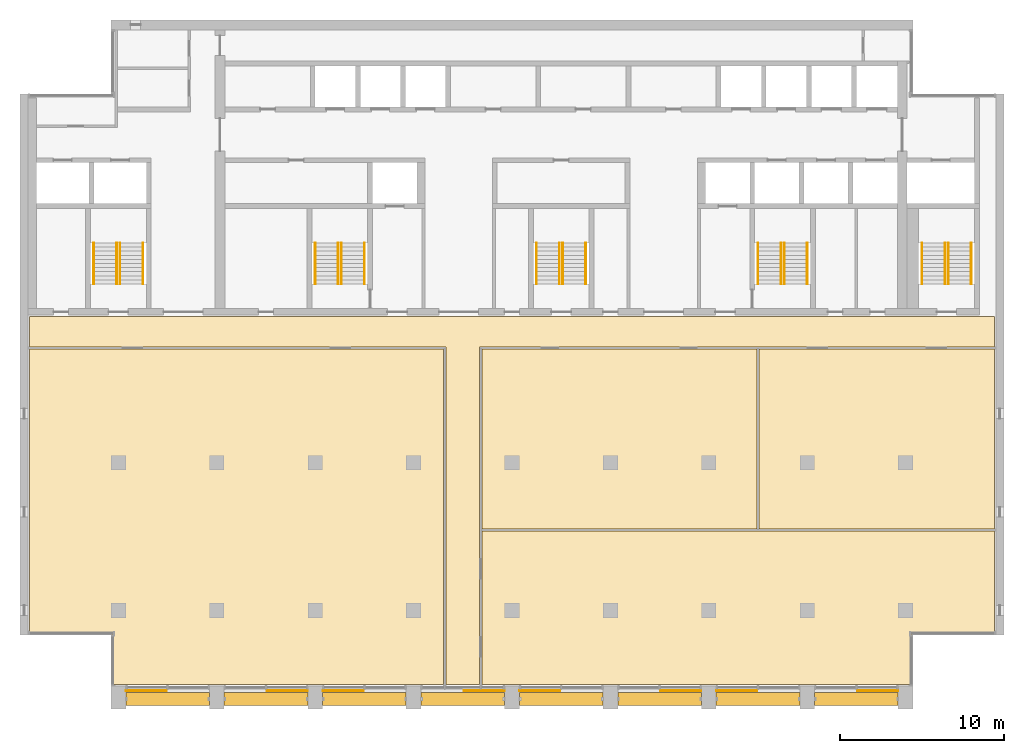
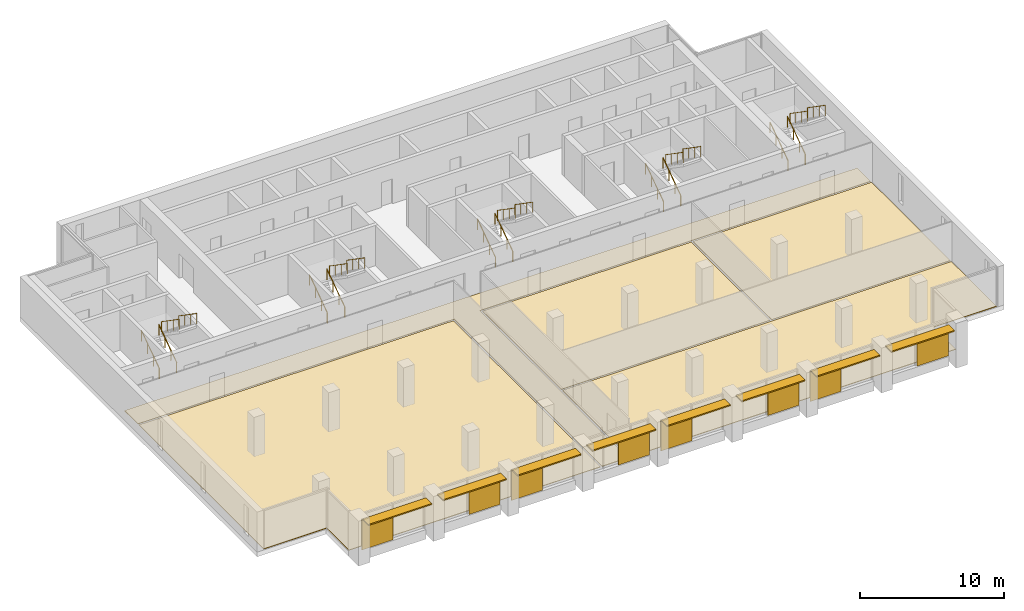
# One storey, part 14 of 14: 20 railings, 16 shading devices, 5 coverings, 5 elements without a shape of their own.
"""IFC4 building model written with IfcOpenShell, lengths in metres."""

from ifc_helpers import new_model, si_unit, direction, frame, origin, origin_2d, place, context, subcontext, project, spatial, polyline, rectangle, circle, outline, extrude, material, layer, layer_set, material_profile, profile_set, type_object, element, aggregate, save


model = new_model("IFC4")

# Units and contexts
model_context = context("Model", 3, precision=1e-05, world=origin(), true_north=direction((0.0, 1.0)))
body_context = subcontext(model_context, "Body", "Model", "MODEL_VIEW")
ifc_project = project(units=[si_unit("LENGTHUNIT", "METRE"), si_unit("AREAUNIT", "SQUARE_METRE"), si_unit("VOLUMEUNIT", "CUBIC_METRE"), si_unit("PLANEANGLEUNIT", "RADIAN"), si_unit("MASSUNIT", "GRAM", prefix="KILO")], contexts=[model_context])

# Site, building, storey
site_placement = place(None, origin())
site = spatial("IfcSite", under=ifc_project, at=site_placement, CompositionType="ELEMENT")
building_placement = place(site_placement, origin())
building = spatial("IfcBuilding", under=site, at=building_placement, Name="Calvaro Tower", CompositionType="ELEMENT")
storey_placement = place(building_placement, frame((0.0, 0.0, 243.14990234375)))
storey = spatial("IfcBuildingStorey", under=building, at=storey_placement, Name="L61", CompositionType="ELEMENT", Elevation=243.14990234375)

# Shading devices
ifc_material_1 = material(Name="Anodised aluminium", Category="aluminium")
ifc_material_profile = material_profile(ifc_material_1, rectangle(XDim=0.800048828125, YDim=0.10009765625, at=origin_2d()), Name="Brise-soleil blade 800 x 100")
ifc_profile_set = profile_set([ifc_material_profile], Name="Anodised aluminium")
shading_device_type_1 = type_object("IfcShadingDeviceType", Name="Brise-soleil blade 800 x 100", PredefinedType="JALOUSIE", material=ifc_profile_set)
for number, where, z_axis, x_axis, name in (
    (1, (12.449951171875, 4.60009765625, 2.650146484375), (1.0, 0.0, 0.0), (0.0, 1.0, 0.0), "Brise-soleil blade 1"),
    (2, (18.449951171875, 4.60009765625, 2.650146484375), (1.0, 0.0, 0.0), (0.0, 1.0, 0.0), "Brise-soleil blade 2"),
    (3, (24.449951171875, 4.60009765625, 2.650146484375), (1.0, 0.0, 0.0), (0.0, 1.0, 0.0), "Brise-soleil blade 3"),
    (4, (30.449951171875, 4.60009765625, 2.650146484375), (1.0, 0.0, 0.0), (0.0, 1.0, 0.0), "Brise-soleil blade 4"),
    (5, (36.449951171875, 4.60009765625, 2.650146484375), (1.0, 0.0, 0.0), (0.0, 1.0, 0.0), "Brise-soleil blade 5"),
    (6, (42.449951171875, 4.60009765625, 2.650146484375), (1.0, 0.0, 0.0), (0.0, 1.0, 0.0), "Brise-soleil blade 6"),
    (7, (48.449951171875, 4.60009765625, 2.650146484375), (1.0, 0.0, 0.0), (0.0, 1.0, 0.0), "Brise-soleil blade 7"),
    (8, (54.449951171875, 4.60009765625, 2.650146484375), (1.0, 0.0, 0.0), (0.0, 1.0, 0.0), "Brise-soleil blade 8"),
):
    element("IfcShadingDevice", number, at=place(storey_placement, frame(where, z_axis=z_axis, x_axis=x_axis)), inside=storey, type_object=shading_device_type_1, Name=name, PredefinedType="JALOUSIE", context=body_context, shape_type="SweptSolid", body=[
        extrude(rectangle(XDim=0.800048828125, YDim=0.10009765625, at=origin_2d()), origin(), (0.0, 0.0, 1.0), 5.10009765625),
    ])

# Coverings
ifc_material_2 = material(Name="Cement screed with carpet tile finish")
ifc_layer_1 = layer(ifc_material_2, 0.050048828125)
ifc_layer_set_1 = layer_set([ifc_layer_1], Name="Cement screed with carpet tile finish")
covering_type = type_object("IfcCoveringType", Name="Floor finish 50", PredefinedType="FLOORING", material=ifc_layer_set_1)
covering_1_placement = place(storey_placement, origin())
element("IfcCovering", 9, at=covering_1_placement, inside=storey, type_object=covering_type, Name="Floor finish 35.01", PredefinedType="FLOORING", context=body_context, shape_type="SweptSolid", body=[
    extrude(outline(polyline([(31.969970703125, 5.469970703125), (31.969970703125, 26.070068359375), (6.570068359375, 26.070068359375), (6.570068359375, 27.929931640625), (65.429931640625, 27.929931640625), (65.429931640625, 26.070068359375), (34.030029296875, 26.070068359375), (34.030029296875, 5.469970703125), (31.969970703125, 5.469970703125)])), origin(), (0.0, 0.0, 1.0), 0.050048828125),
])
covering_2_placement = place(storey_placement, origin())
element("IfcCovering", 10, at=covering_2_placement, inside=storey, type_object=covering_type, Name="Floor finish 35.03", PredefinedType="FLOORING", context=body_context, shape_type="SweptSolid", body=[
    extrude(outline(polyline([(31.830078125, 25.929931640625), (31.830078125, 5.469970703125), (11.6201171875, 5.469970703125), (11.6201171875, 8.570068359375), (6.570068359375, 8.570068359375), (6.570068359375, 25.929931640625), (31.830078125, 25.929931640625)])), origin(), (0.0, 0.0, 1.0), 0.050048828125),
])
covering_3_placement = place(storey_placement, origin())
element("IfcCovering", 11, at=covering_3_placement, inside=storey, type_object=covering_type, Name="Floor finish 35.02", PredefinedType="FLOORING", context=body_context, shape_type="SweptSolid", body=[
    extrude(outline(polyline([(65.429931640625, 8.570068359375), (60.3798828125, 8.570068359375), (60.3798828125, 5.469970703125), (34.169921875, 5.469970703125), (34.169921875, 14.830078125), (65.429931640625, 14.830078125), (65.429931640625, 8.570068359375)])), origin(), (0.0, 0.0, 1.0), 0.050048828125),
])
covering_4_placement = place(storey_placement, origin())
element("IfcCovering", 12, at=covering_4_placement, inside=storey, type_object=covering_type, Name="Floor finish 35.05", PredefinedType="FLOORING", context=body_context, shape_type="SweptSolid", body=[
    extrude(outline(polyline([(34.169921875, 14.969970703125), (34.169921875, 25.929931640625), (50.929931640625, 25.929931640625), (50.929931640625, 14.969970703125), (34.169921875, 14.969970703125)])), origin(), (0.0, 0.0, 1.0), 0.050048828125),
])
covering_5_placement = place(storey_placement, origin())
element("IfcCovering", 13, at=covering_5_placement, inside=storey, type_object=covering_type, Name="Floor finish 35.04", PredefinedType="FLOORING", context=body_context, shape_type="SweptSolid", body=[
    extrude(outline(polyline([(65.429931640625, 14.969970703125), (51.070068359375, 14.969970703125), (51.070068359375, 25.929931640625), (65.429931640625, 25.929931640625), (65.429931640625, 14.969970703125)])), origin(), (0.0, 0.0, 1.0), 0.050048828125),
])

# Shading devices
ifc_material_3 = material(Name="Ceramic")
ifc_layer_2 = layer(ifc_material_3, 0.0400390625)
ifc_layer_set_2 = layer_set([ifc_layer_2], Name="Ceramic")
shading_device_type_2 = type_object("IfcShadingDeviceType", Name="Sliding ceramic screen 2500", PredefinedType="SHUTTER", material=ifc_layer_set_2)
for number, where, z_axis, x_axis, name in (
    (14, (13.699951171875, 5.10009765625, 0.0), (0.0, 0.0, 1.0), (1.0, 0.0, 0.0), "Sliding screen 1"),
    (15, (22.300048828125, 5.10009765625, 0.0), (0.0, 0.0, 1.0), (1.0, 0.0, 0.0), "Sliding screen 2"),
    (16, (25.699951171875, 5.10009765625, 0.0), (0.0, 0.0, 1.0), (1.0, 0.0, 0.0), "Sliding screen 3"),
    (17, (34.300048828125, 5.10009765625, 0.0), (0.0, 0.0, 1.0), (1.0, 0.0, 0.0), "Sliding screen 4"),
    (18, (37.699951171875, 5.10009765625, 0.0), (0.0, 0.0, 1.0), (1.0, 0.0, 0.0), "Sliding screen 5"),
    (19, (46.300048828125, 5.10009765625, 0.0), (0.0, 0.0, 1.0), (1.0, 0.0, 0.0), "Sliding screen 6"),
    (20, (49.699951171875, 5.10009765625, 0.0), (0.0, 0.0, 1.0), (1.0, 0.0, 0.0), "Sliding screen 7"),
    (21, (58.300048828125, 5.10009765625, 0.0), (0.0, 0.0, 1.0), (1.0, 0.0, 0.0), "Sliding screen 8"),
):
    element("IfcShadingDevice", number, at=place(storey_placement, frame(where, z_axis=z_axis, x_axis=x_axis)), inside=storey, type_object=shading_device_type_2, Name=name, PredefinedType="SHUTTER", context=body_context, shape_type="SweptSolid", body=[
        extrude(rectangle(XDim=2.5, YDim=0.0400390625, at=origin_2d()), origin(), (0.0, 0.0, 1.0), 2.60009765625),
    ])

# Stair, railings
ifc_material_4 = material(Name="Concrete C40/50", Category="concrete")
stair_type = type_object("IfcStairType", Name="Exit stair 1400 2 flights", PredefinedType="HALF_TURN_STAIR", material=ifc_material_4)
stair_1_placement = place(storey_placement, origin())
stair_1 = element("IfcStair", 22, at=stair_1_placement, inside=storey, type_object=stair_type, Name="Exit stair S1", PredefinedType="HALF_TURN_STAIR")
ifc_material_5 = material(Name="Stainless steel", Category="steel")
railing_type = type_object("IfcRailingType", Name="Stair handrail", PredefinedType="HANDRAIL", material=ifc_material_5)
railing_1_placement = place(storey_placement, frame((11.89990234375, 29.89990234375, 0.1728515625)))
railing_1 = element("IfcRailing", 23, at=railing_1_placement, type_object=railing_type, Name="Exit stair 1 handrail", PredefinedType="HANDRAIL", context=body_context, shape_type="SweptSolid", body=[
    extrude(circle(Radius=0.02392578125, at=origin_2d()), frame((0.0, 0.0, 0.8759765625), z_axis=(0.0, 0.822726922227, 0.568436813941), x_axis=(-1.0, 0.0, 0.0)), (0.0, 0.0, 1.0), 3.03857421875),
    extrude(circle(Radius=0.02099609375, at=origin_2d()), frame((0.0, 0.017333984375, 0.011962890625)), (0.0, 0.0, 1.0), 0.851806640625),
    extrude(circle(Radius=0.02099609375, at=origin_2d()), frame((0.0, 0.833251953125, 0.57568359375)), (0.0, 0.0, 1.0), 0.851806640625),
    extrude(circle(Radius=0.02099609375, at=origin_2d()), frame((0.0, 1.666748046875, 1.151611328125)), (0.0, 0.0, 1.0), 0.851806640625),
    extrude(circle(Radius=0.02099609375, at=origin_2d()), frame((0.0, 2.482666015625, 1.71533203125)), (0.0, 0.0, 1.0), 0.851806640625),
])
railing_2_placement = place(storey_placement, frame((10.5, 29.89990234375, 0.1728515625)))
railing_2 = element("IfcRailing", 24, at=railing_2_placement, type_object=railing_type, Name="Exit stair 1 handrail", PredefinedType="HANDRAIL", context=body_context, shape_type="SweptSolid", body=[
    extrude(circle(Radius=0.02392578125, at=origin_2d()), frame((0.0, 0.0, 0.8759765625), z_axis=(0.0, 0.822726922227, 0.568436813941), x_axis=(-1.0, 0.0, 0.0)), (0.0, 0.0, 1.0), 3.03857421875),
    extrude(circle(Radius=0.02099609375, at=origin_2d()), frame((0.0, 0.017333984375, 0.011962890625)), (0.0, 0.0, 1.0), 0.851806640625),
    extrude(circle(Radius=0.02099609375, at=origin_2d()), frame((0.0, 0.833251953125, 0.57568359375)), (0.0, 0.0, 1.0), 0.851806640625),
    extrude(circle(Radius=0.02099609375, at=origin_2d()), frame((0.0, 1.666748046875, 1.151611328125)), (0.0, 0.0, 1.0), 0.851806640625),
    extrude(circle(Radius=0.02099609375, at=origin_2d()), frame((0.0, 2.482666015625, 1.71533203125)), (0.0, 0.0, 1.0), 0.851806640625),
])
railing_3_placement = place(storey_placement, frame((12.10009765625, 32.39990234375, 2.07275390625)))
railing_3 = element("IfcRailing", 25, at=railing_3_placement, type_object=railing_type, Name="Exit stair 1 handrail", PredefinedType="HANDRAIL", context=body_context, shape_type="SweptSolid", body=[
    extrude(circle(Radius=0.02392578125, at=origin_2d()), frame((0.0, 0.0, 0.8759765625), z_axis=(0.0, -0.822726922227, 0.568436813941), x_axis=(1.0, 0.0, 0.0)), (0.0, 0.0, 1.0), 3.03857421875),
    extrude(circle(Radius=0.02099609375, at=origin_2d()), frame((0.0, -0.017333984375, 0.011962890625)), (0.0, 0.0, 1.0), 0.851806640625),
    extrude(circle(Radius=0.02099609375, at=origin_2d()), frame((0.0, -0.833251953125, 0.57568359375)), (0.0, 0.0, 1.0), 0.851806640625),
    extrude(circle(Radius=0.02099609375, at=origin_2d()), frame((0.0, -1.666748046875, 1.151611328125)), (0.0, 0.0, 1.0), 0.851806640625),
    extrude(circle(Radius=0.02099609375, at=origin_2d()), frame((0.0, -2.482666015625, 1.71533203125)), (0.0, 0.0, 1.0), 0.851806640625),
])
railing_4_placement = place(storey_placement, frame((13.5, 32.39990234375, 2.07275390625)))
railing_4 = element("IfcRailing", 26, at=railing_4_placement, type_object=railing_type, Name="Exit stair 1 handrail", PredefinedType="HANDRAIL", context=body_context, shape_type="SweptSolid", body=[
    extrude(circle(Radius=0.02392578125, at=origin_2d()), frame((0.0, 0.0, 0.8759765625), z_axis=(0.0, -0.822726922227, 0.568436813941), x_axis=(1.0, 0.0, 0.0)), (0.0, 0.0, 1.0), 3.03857421875),
    extrude(circle(Radius=0.02099609375, at=origin_2d()), frame((0.0, -0.017333984375, 0.011962890625)), (0.0, 0.0, 1.0), 0.851806640625),
    extrude(circle(Radius=0.02099609375, at=origin_2d()), frame((0.0, -0.833251953125, 0.57568359375)), (0.0, 0.0, 1.0), 0.851806640625),
    extrude(circle(Radius=0.02099609375, at=origin_2d()), frame((0.0, -1.666748046875, 1.151611328125)), (0.0, 0.0, 1.0), 0.851806640625),
    extrude(circle(Radius=0.02099609375, at=origin_2d()), frame((0.0, -2.482666015625, 1.71533203125)), (0.0, 0.0, 1.0), 0.851806640625),
])
aggregate(stair_1, [railing_1, railing_2, railing_3, railing_4])

stair_2_placement = place(storey_placement, origin())
stair_2 = element("IfcStair", 27, at=stair_2_placement, inside=storey, type_object=stair_type, Name="Exit stair S2", PredefinedType="HALF_TURN_STAIR")
railing_5_placement = place(storey_placement, frame((25.39990234375, 29.89990234375, 0.1728515625)))
railing_5 = element("IfcRailing", 28, at=railing_5_placement, type_object=railing_type, Name="Exit stair 2 handrail", PredefinedType="HANDRAIL", context=body_context, shape_type="SweptSolid", body=[
    extrude(circle(Radius=0.02392578125, at=origin_2d()), frame((0.0, 0.0, 0.8759765625), z_axis=(0.0, 0.822726922227, 0.568436813941), x_axis=(-1.0, 0.0, 0.0)), (0.0, 0.0, 1.0), 3.03857421875),
    extrude(circle(Radius=0.02099609375, at=origin_2d()), frame((0.0, 0.017333984375, 0.011962890625)), (0.0, 0.0, 1.0), 0.851806640625),
    extrude(circle(Radius=0.02099609375, at=origin_2d()), frame((0.0, 0.833251953125, 0.57568359375)), (0.0, 0.0, 1.0), 0.851806640625),
    extrude(circle(Radius=0.02099609375, at=origin_2d()), frame((0.0, 1.666748046875, 1.151611328125)), (0.0, 0.0, 1.0), 0.851806640625),
    extrude(circle(Radius=0.02099609375, at=origin_2d()), frame((0.0, 2.482666015625, 1.71533203125)), (0.0, 0.0, 1.0), 0.851806640625),
])
railing_6_placement = place(storey_placement, frame((24.0, 29.89990234375, 0.1728515625)))
railing_6 = element("IfcRailing", 29, at=railing_6_placement, type_object=railing_type, Name="Exit stair 2 handrail", PredefinedType="HANDRAIL", context=body_context, shape_type="SweptSolid", body=[
    extrude(circle(Radius=0.02392578125, at=origin_2d()), frame((0.0, 0.0, 0.8759765625), z_axis=(0.0, 0.822726922227, 0.568436813941), x_axis=(-1.0, 0.0, 0.0)), (0.0, 0.0, 1.0), 3.03857421875),
    extrude(circle(Radius=0.02099609375, at=origin_2d()), frame((0.0, 0.017333984375, 0.011962890625)), (0.0, 0.0, 1.0), 0.851806640625),
    extrude(circle(Radius=0.02099609375, at=origin_2d()), frame((0.0, 0.833251953125, 0.57568359375)), (0.0, 0.0, 1.0), 0.851806640625),
    extrude(circle(Radius=0.02099609375, at=origin_2d()), frame((0.0, 1.666748046875, 1.151611328125)), (0.0, 0.0, 1.0), 0.851806640625),
    extrude(circle(Radius=0.02099609375, at=origin_2d()), frame((0.0, 2.482666015625, 1.71533203125)), (0.0, 0.0, 1.0), 0.851806640625),
])
railing_7_placement = place(storey_placement, frame((25.60009765625, 32.39990234375, 2.07275390625)))
railing_7 = element("IfcRailing", 30, at=railing_7_placement, type_object=railing_type, Name="Exit stair 2 handrail", PredefinedType="HANDRAIL", context=body_context, shape_type="SweptSolid", body=[
    extrude(circle(Radius=0.02392578125, at=origin_2d()), frame((0.0, 0.0, 0.8759765625), z_axis=(0.0, -0.822726922227, 0.568436813941), x_axis=(1.0, 0.0, 0.0)), (0.0, 0.0, 1.0), 3.03857421875),
    extrude(circle(Radius=0.02099609375, at=origin_2d()), frame((0.0, -0.017333984375, 0.011962890625)), (0.0, 0.0, 1.0), 0.851806640625),
    extrude(circle(Radius=0.02099609375, at=origin_2d()), frame((0.0, -0.833251953125, 0.57568359375)), (0.0, 0.0, 1.0), 0.851806640625),
    extrude(circle(Radius=0.02099609375, at=origin_2d()), frame((0.0, -1.666748046875, 1.151611328125)), (0.0, 0.0, 1.0), 0.851806640625),
    extrude(circle(Radius=0.02099609375, at=origin_2d()), frame((0.0, -2.482666015625, 1.71533203125)), (0.0, 0.0, 1.0), 0.851806640625),
])
railing_8_placement = place(storey_placement, frame((27.0, 32.39990234375, 2.07275390625)))
railing_8 = element("IfcRailing", 31, at=railing_8_placement, type_object=railing_type, Name="Exit stair 2 handrail", PredefinedType="HANDRAIL", context=body_context, shape_type="SweptSolid", body=[
    extrude(circle(Radius=0.02392578125, at=origin_2d()), frame((0.0, 0.0, 0.8759765625), z_axis=(0.0, -0.822726922227, 0.568436813941), x_axis=(1.0, 0.0, 0.0)), (0.0, 0.0, 1.0), 3.03857421875),
    extrude(circle(Radius=0.02099609375, at=origin_2d()), frame((0.0, -0.017333984375, 0.011962890625)), (0.0, 0.0, 1.0), 0.851806640625),
    extrude(circle(Radius=0.02099609375, at=origin_2d()), frame((0.0, -0.833251953125, 0.57568359375)), (0.0, 0.0, 1.0), 0.851806640625),
    extrude(circle(Radius=0.02099609375, at=origin_2d()), frame((0.0, -1.666748046875, 1.151611328125)), (0.0, 0.0, 1.0), 0.851806640625),
    extrude(circle(Radius=0.02099609375, at=origin_2d()), frame((0.0, -2.482666015625, 1.71533203125)), (0.0, 0.0, 1.0), 0.851806640625),
])
aggregate(stair_2, [railing_5, railing_6, railing_7, railing_8])

stair_3_placement = place(storey_placement, origin())
stair_3 = element("IfcStair", 32, at=stair_3_placement, inside=storey, type_object=stair_type, Name="Exit stair S3", PredefinedType="HALF_TURN_STAIR")
railing_9_placement = place(storey_placement, frame((38.89990234375, 29.89990234375, 0.1728515625)))
railing_9 = element("IfcRailing", 33, at=railing_9_placement, type_object=railing_type, Name="Exit stair 3 handrail", PredefinedType="HANDRAIL", context=body_context, shape_type="SweptSolid", body=[
    extrude(circle(Radius=0.02392578125, at=origin_2d()), frame((0.0, 0.0, 0.8759765625), z_axis=(0.0, 0.822726922227, 0.568436813941), x_axis=(-1.0, 0.0, 0.0)), (0.0, 0.0, 1.0), 3.03857421875),
    extrude(circle(Radius=0.02099609375, at=origin_2d()), frame((0.0, 0.017333984375, 0.011962890625)), (0.0, 0.0, 1.0), 0.851806640625),
    extrude(circle(Radius=0.02099609375, at=origin_2d()), frame((0.0, 0.833251953125, 0.57568359375)), (0.0, 0.0, 1.0), 0.851806640625),
    extrude(circle(Radius=0.02099609375, at=origin_2d()), frame((0.0, 1.666748046875, 1.151611328125)), (0.0, 0.0, 1.0), 0.851806640625),
    extrude(circle(Radius=0.02099609375, at=origin_2d()), frame((0.0, 2.482666015625, 1.71533203125)), (0.0, 0.0, 1.0), 0.851806640625),
])
railing_10_placement = place(storey_placement, frame((37.5, 29.89990234375, 0.1728515625)))
railing_10 = element("IfcRailing", 34, at=railing_10_placement, type_object=railing_type, Name="Exit stair 3 handrail", PredefinedType="HANDRAIL", context=body_context, shape_type="SweptSolid", body=[
    extrude(circle(Radius=0.02392578125, at=origin_2d()), frame((0.0, 0.0, 0.8759765625), z_axis=(0.0, 0.822726922227, 0.568436813941), x_axis=(-1.0, 0.0, 0.0)), (0.0, 0.0, 1.0), 3.03857421875),
    extrude(circle(Radius=0.02099609375, at=origin_2d()), frame((0.0, 0.017333984375, 0.011962890625)), (0.0, 0.0, 1.0), 0.851806640625),
    extrude(circle(Radius=0.02099609375, at=origin_2d()), frame((0.0, 0.833251953125, 0.57568359375)), (0.0, 0.0, 1.0), 0.851806640625),
    extrude(circle(Radius=0.02099609375, at=origin_2d()), frame((0.0, 1.666748046875, 1.151611328125)), (0.0, 0.0, 1.0), 0.851806640625),
    extrude(circle(Radius=0.02099609375, at=origin_2d()), frame((0.0, 2.482666015625, 1.71533203125)), (0.0, 0.0, 1.0), 0.851806640625),
])
railing_11_placement = place(storey_placement, frame((39.10009765625, 32.39990234375, 2.07275390625)))
railing_11 = element("IfcRailing", 35, at=railing_11_placement, type_object=railing_type, Name="Exit stair 3 handrail", PredefinedType="HANDRAIL", context=body_context, shape_type="SweptSolid", body=[
    extrude(circle(Radius=0.02392578125, at=origin_2d()), frame((0.0, 0.0, 0.8759765625), z_axis=(0.0, -0.822726922227, 0.568436813941), x_axis=(1.0, 0.0, 0.0)), (0.0, 0.0, 1.0), 3.03857421875),
    extrude(circle(Radius=0.02099609375, at=origin_2d()), frame((0.0, -0.017333984375, 0.011962890625)), (0.0, 0.0, 1.0), 0.851806640625),
    extrude(circle(Radius=0.02099609375, at=origin_2d()), frame((0.0, -0.833251953125, 0.57568359375)), (0.0, 0.0, 1.0), 0.851806640625),
    extrude(circle(Radius=0.02099609375, at=origin_2d()), frame((0.0, -1.666748046875, 1.151611328125)), (0.0, 0.0, 1.0), 0.851806640625),
    extrude(circle(Radius=0.02099609375, at=origin_2d()), frame((0.0, -2.482666015625, 1.71533203125)), (0.0, 0.0, 1.0), 0.851806640625),
])
railing_12_placement = place(storey_placement, frame((40.5, 32.39990234375, 2.07275390625)))
railing_12 = element("IfcRailing", 36, at=railing_12_placement, type_object=railing_type, Name="Exit stair 3 handrail", PredefinedType="HANDRAIL", context=body_context, shape_type="SweptSolid", body=[
    extrude(circle(Radius=0.02392578125, at=origin_2d()), frame((0.0, 0.0, 0.8759765625), z_axis=(0.0, -0.822726922227, 0.568436813941), x_axis=(1.0, 0.0, 0.0)), (0.0, 0.0, 1.0), 3.03857421875),
    extrude(circle(Radius=0.02099609375, at=origin_2d()), frame((0.0, -0.017333984375, 0.011962890625)), (0.0, 0.0, 1.0), 0.851806640625),
    extrude(circle(Radius=0.02099609375, at=origin_2d()), frame((0.0, -0.833251953125, 0.57568359375)), (0.0, 0.0, 1.0), 0.851806640625),
    extrude(circle(Radius=0.02099609375, at=origin_2d()), frame((0.0, -1.666748046875, 1.151611328125)), (0.0, 0.0, 1.0), 0.851806640625),
    extrude(circle(Radius=0.02099609375, at=origin_2d()), frame((0.0, -2.482666015625, 1.71533203125)), (0.0, 0.0, 1.0), 0.851806640625),
])
aggregate(stair_3, [railing_9, railing_10, railing_11, railing_12])

stair_4_placement = place(storey_placement, origin())
stair_4 = element("IfcStair", 37, at=stair_4_placement, inside=storey, type_object=stair_type, Name="Exit stair S4", PredefinedType="HALF_TURN_STAIR")
railing_13_placement = place(storey_placement, frame((52.39990234375, 29.89990234375, 0.1728515625)))
railing_13 = element("IfcRailing", 38, at=railing_13_placement, type_object=railing_type, Name="Exit stair 4 handrail", PredefinedType="HANDRAIL", context=body_context, shape_type="SweptSolid", body=[
    extrude(circle(Radius=0.02392578125, at=origin_2d()), frame((0.0, 0.0, 0.8759765625), z_axis=(0.0, 0.822726922227, 0.568436813941), x_axis=(-1.0, 0.0, 0.0)), (0.0, 0.0, 1.0), 3.03857421875),
    extrude(circle(Radius=0.02099609375, at=origin_2d()), frame((0.0, 0.017333984375, 0.011962890625)), (0.0, 0.0, 1.0), 0.851806640625),
    extrude(circle(Radius=0.02099609375, at=origin_2d()), frame((0.0, 0.833251953125, 0.57568359375)), (0.0, 0.0, 1.0), 0.851806640625),
    extrude(circle(Radius=0.02099609375, at=origin_2d()), frame((0.0, 1.666748046875, 1.151611328125)), (0.0, 0.0, 1.0), 0.851806640625),
    extrude(circle(Radius=0.02099609375, at=origin_2d()), frame((0.0, 2.482666015625, 1.71533203125)), (0.0, 0.0, 1.0), 0.851806640625),
])
railing_14_placement = place(storey_placement, frame((51.0, 29.89990234375, 0.1728515625)))
railing_14 = element("IfcRailing", 39, at=railing_14_placement, type_object=railing_type, Name="Exit stair 4 handrail", PredefinedType="HANDRAIL", context=body_context, shape_type="SweptSolid", body=[
    extrude(circle(Radius=0.02392578125, at=origin_2d()), frame((0.0, 0.0, 0.8759765625), z_axis=(0.0, 0.822726922227, 0.568436813941), x_axis=(-1.0, 0.0, 0.0)), (0.0, 0.0, 1.0), 3.03857421875),
    extrude(circle(Radius=0.02099609375, at=origin_2d()), frame((0.0, 0.017333984375, 0.011962890625)), (0.0, 0.0, 1.0), 0.851806640625),
    extrude(circle(Radius=0.02099609375, at=origin_2d()), frame((0.0, 0.833251953125, 0.57568359375)), (0.0, 0.0, 1.0), 0.851806640625),
    extrude(circle(Radius=0.02099609375, at=origin_2d()), frame((0.0, 1.666748046875, 1.151611328125)), (0.0, 0.0, 1.0), 0.851806640625),
    extrude(circle(Radius=0.02099609375, at=origin_2d()), frame((0.0, 2.482666015625, 1.71533203125)), (0.0, 0.0, 1.0), 0.851806640625),
])
railing_15_placement = place(storey_placement, frame((52.60009765625, 32.39990234375, 2.07275390625)))
railing_15 = element("IfcRailing", 40, at=railing_15_placement, type_object=railing_type, Name="Exit stair 4 handrail", PredefinedType="HANDRAIL", context=body_context, shape_type="SweptSolid", body=[
    extrude(circle(Radius=0.02392578125, at=origin_2d()), frame((0.0, 0.0, 0.8759765625), z_axis=(0.0, -0.822726922227, 0.568436813941), x_axis=(1.0, 0.0, 0.0)), (0.0, 0.0, 1.0), 3.03857421875),
    extrude(circle(Radius=0.02099609375, at=origin_2d()), frame((0.0, -0.017333984375, 0.011962890625)), (0.0, 0.0, 1.0), 0.851806640625),
    extrude(circle(Radius=0.02099609375, at=origin_2d()), frame((0.0, -0.833251953125, 0.57568359375)), (0.0, 0.0, 1.0), 0.851806640625),
    extrude(circle(Radius=0.02099609375, at=origin_2d()), frame((0.0, -1.666748046875, 1.151611328125)), (0.0, 0.0, 1.0), 0.851806640625),
    extrude(circle(Radius=0.02099609375, at=origin_2d()), frame((0.0, -2.482666015625, 1.71533203125)), (0.0, 0.0, 1.0), 0.851806640625),
])
railing_16_placement = place(storey_placement, frame((54.0, 32.39990234375, 2.07275390625)))
railing_16 = element("IfcRailing", 41, at=railing_16_placement, type_object=railing_type, Name="Exit stair 4 handrail", PredefinedType="HANDRAIL", context=body_context, shape_type="SweptSolid", body=[
    extrude(circle(Radius=0.02392578125, at=origin_2d()), frame((0.0, 0.0, 0.8759765625), z_axis=(0.0, -0.822726922227, 0.568436813941), x_axis=(1.0, 0.0, 0.0)), (0.0, 0.0, 1.0), 3.03857421875),
    extrude(circle(Radius=0.02099609375, at=origin_2d()), frame((0.0, -0.017333984375, 0.011962890625)), (0.0, 0.0, 1.0), 0.851806640625),
    extrude(circle(Radius=0.02099609375, at=origin_2d()), frame((0.0, -0.833251953125, 0.57568359375)), (0.0, 0.0, 1.0), 0.851806640625),
    extrude(circle(Radius=0.02099609375, at=origin_2d()), frame((0.0, -1.666748046875, 1.151611328125)), (0.0, 0.0, 1.0), 0.851806640625),
    extrude(circle(Radius=0.02099609375, at=origin_2d()), frame((0.0, -2.482666015625, 1.71533203125)), (0.0, 0.0, 1.0), 0.851806640625),
])
aggregate(stair_4, [railing_13, railing_14, railing_15, railing_16])

stair_5_placement = place(storey_placement, origin())
stair_5 = element("IfcStair", 42, at=stair_5_placement, inside=storey, type_object=stair_type, Name="Exit stair S5", PredefinedType="HALF_TURN_STAIR")
railing_17_placement = place(storey_placement, frame((62.39990234375, 29.89990234375, 0.1728515625)))
railing_17 = element("IfcRailing", 43, at=railing_17_placement, type_object=railing_type, Name="Exit stair 5 handrail", PredefinedType="HANDRAIL", context=body_context, shape_type="SweptSolid", body=[
    extrude(circle(Radius=0.02392578125, at=origin_2d()), frame((0.0, 0.0, 0.8759765625), z_axis=(0.0, 0.822726922227, 0.568436813941), x_axis=(-1.0, 0.0, 0.0)), (0.0, 0.0, 1.0), 3.03857421875),
    extrude(circle(Radius=0.02099609375, at=origin_2d()), frame((0.0, 0.017333984375, 0.011962890625)), (0.0, 0.0, 1.0), 0.851806640625),
    extrude(circle(Radius=0.02099609375, at=origin_2d()), frame((0.0, 0.833251953125, 0.57568359375)), (0.0, 0.0, 1.0), 0.851806640625),
    extrude(circle(Radius=0.02099609375, at=origin_2d()), frame((0.0, 1.666748046875, 1.151611328125)), (0.0, 0.0, 1.0), 0.851806640625),
    extrude(circle(Radius=0.02099609375, at=origin_2d()), frame((0.0, 2.482666015625, 1.71533203125)), (0.0, 0.0, 1.0), 0.851806640625),
])
railing_18_placement = place(storey_placement, frame((61.0, 29.89990234375, 0.1728515625)))
railing_18 = element("IfcRailing", 44, at=railing_18_placement, type_object=railing_type, Name="Exit stair 5 handrail", PredefinedType="HANDRAIL", context=body_context, shape_type="SweptSolid", body=[
    extrude(circle(Radius=0.02392578125, at=origin_2d()), frame((0.0, 0.0, 0.8759765625), z_axis=(0.0, 0.822726922227, 0.568436813941), x_axis=(-1.0, 0.0, 0.0)), (0.0, 0.0, 1.0), 3.03857421875),
    extrude(circle(Radius=0.02099609375, at=origin_2d()), frame((0.0, 0.017333984375, 0.011962890625)), (0.0, 0.0, 1.0), 0.851806640625),
    extrude(circle(Radius=0.02099609375, at=origin_2d()), frame((0.0, 0.833251953125, 0.57568359375)), (0.0, 0.0, 1.0), 0.851806640625),
    extrude(circle(Radius=0.02099609375, at=origin_2d()), frame((0.0, 1.666748046875, 1.151611328125)), (0.0, 0.0, 1.0), 0.851806640625),
    extrude(circle(Radius=0.02099609375, at=origin_2d()), frame((0.0, 2.482666015625, 1.71533203125)), (0.0, 0.0, 1.0), 0.851806640625),
])
railing_19_placement = place(storey_placement, frame((62.60009765625, 32.39990234375, 2.07275390625)))
railing_19 = element("IfcRailing", 45, at=railing_19_placement, type_object=railing_type, Name="Exit stair 5 handrail", PredefinedType="HANDRAIL", context=body_context, shape_type="SweptSolid", body=[
    extrude(circle(Radius=0.02392578125, at=origin_2d()), frame((0.0, 0.0, 0.8759765625), z_axis=(0.0, -0.822726922227, 0.568436813941), x_axis=(1.0, 0.0, 0.0)), (0.0, 0.0, 1.0), 3.03857421875),
    extrude(circle(Radius=0.02099609375, at=origin_2d()), frame((0.0, -0.017333984375, 0.011962890625)), (0.0, 0.0, 1.0), 0.851806640625),
    extrude(circle(Radius=0.02099609375, at=origin_2d()), frame((0.0, -0.833251953125, 0.57568359375)), (0.0, 0.0, 1.0), 0.851806640625),
    extrude(circle(Radius=0.02099609375, at=origin_2d()), frame((0.0, -1.666748046875, 1.151611328125)), (0.0, 0.0, 1.0), 0.851806640625),
    extrude(circle(Radius=0.02099609375, at=origin_2d()), frame((0.0, -2.482666015625, 1.71533203125)), (0.0, 0.0, 1.0), 0.851806640625),
])
railing_20_placement = place(storey_placement, frame((64.0, 32.39990234375, 2.07275390625)))
railing_20 = element("IfcRailing", 46, at=railing_20_placement, type_object=railing_type, Name="Exit stair 5 handrail", PredefinedType="HANDRAIL", context=body_context, shape_type="SweptSolid", body=[
    extrude(circle(Radius=0.02392578125, at=origin_2d()), frame((0.0, 0.0, 0.8759765625), z_axis=(0.0, -0.822726922227, 0.568436813941), x_axis=(1.0, 0.0, 0.0)), (0.0, 0.0, 1.0), 3.03857421875),
    extrude(circle(Radius=0.02099609375, at=origin_2d()), frame((0.0, -0.017333984375, 0.011962890625)), (0.0, 0.0, 1.0), 0.851806640625),
    extrude(circle(Radius=0.02099609375, at=origin_2d()), frame((0.0, -0.833251953125, 0.57568359375)), (0.0, 0.0, 1.0), 0.851806640625),
    extrude(circle(Radius=0.02099609375, at=origin_2d()), frame((0.0, -1.666748046875, 1.151611328125)), (0.0, 0.0, 1.0), 0.851806640625),
    extrude(circle(Radius=0.02099609375, at=origin_2d()), frame((0.0, -2.482666015625, 1.71533203125)), (0.0, 0.0, 1.0), 0.851806640625),
])
aggregate(stair_5, [railing_17, railing_18, railing_19, railing_20])

save(model, "model.ifc")
